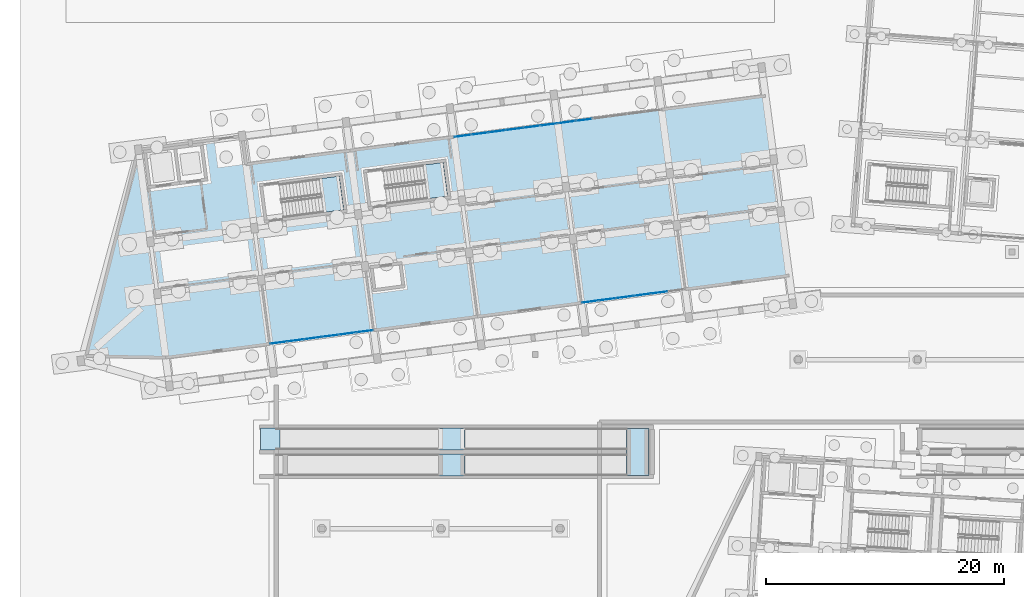
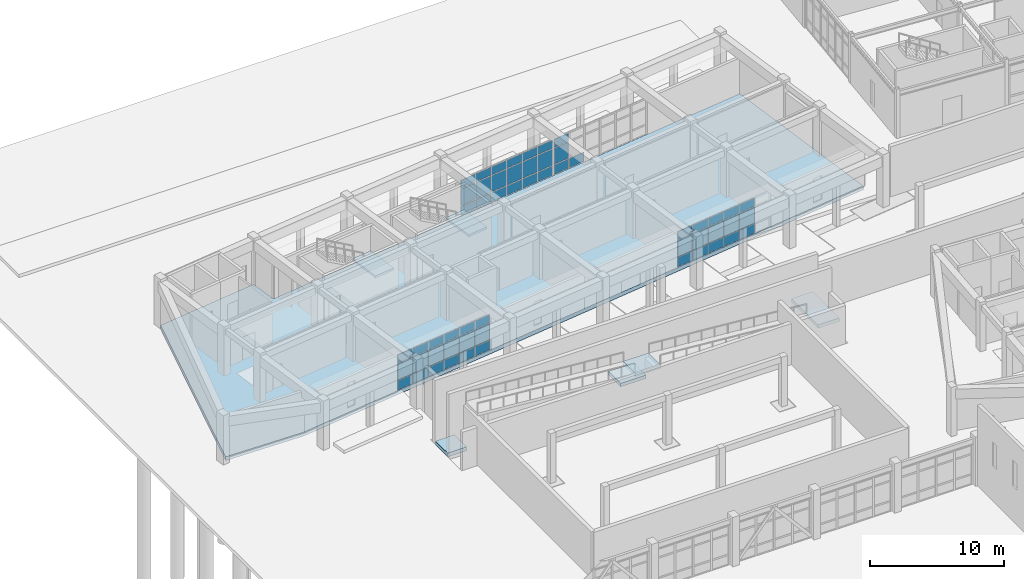
# One storey, part 107 of 154: 55 plates, 7 slabs, 8 elements without a shape of their own.
"""IFC4 building model written with IfcOpenShell, lengths in metres."""

from ifc_helpers import new_model, si_unit, direction, frame, origin, origin_2d, place, context, subcontext, project, spatial, polyline, rectangle, outline, extrude, material, layer, layer_set, type_object, element, aggregate, save


model = new_model("IFC4")

# Units and contexts
model_context = context("Model", 3, precision=1e-05, world=origin(), true_north=direction((0.0, 1.0)))
body_context = subcontext(model_context, "Body", "Model", "MODEL_VIEW")
ifc_project = project(units=[si_unit("LENGTHUNIT", "METRE"), si_unit("AREAUNIT", "SQUARE_METRE"), si_unit("VOLUMEUNIT", "CUBIC_METRE"), si_unit("PLANEANGLEUNIT", "RADIAN"), si_unit("MASSUNIT", "GRAM", prefix="KILO")], contexts=[model_context])

# Site, building, storey
site_placement = place(None, origin())
site = spatial("IfcSite", under=ifc_project, at=site_placement, CompositionType="ELEMENT")
building_placement = place(site_placement, origin())
building = spatial("IfcBuilding", under=site, at=building_placement, Name="Kestramere Prow Commons", CompositionType="ELEMENT")
storey_placement = place(building_placement, origin())
storey = spatial("IfcBuildingStorey", under=building, at=storey_placement, Name="L00", CompositionType="ELEMENT", Elevation=0.0)

# Curtain wall, plates
ifc_material_1 = material(Name="Anodised Aluminium and Low-E Glass", Category="aluminium")
curtain_wall_type = type_object("IfcCurtainWallType", Name="CW-01 Glazed Curtain Wall 8780x3350", PredefinedType="USERDEFINED", material=ifc_material_1)
curtain_wall_1_placement = place(storey_placement, origin())
curtain_wall_1 = element("IfcCurtainWall", 1, at=curtain_wall_1_placement, inside=storey, type_object=curtain_wall_type, Name="Block A L00 South Colonnade Storefront 2", ObjectType="GLAZED CURTAIN WALL", PredefinedType="USERDEFINED")
ifc_material_2 = material(Name="Low-E Laminated Double Glazing", Category="glass")
ifc_layer_1 = layer(ifc_material_2, 0.028076171875)
ifc_layer_set_1 = layer_set([ifc_layer_1], Name="Low-E Laminated Double Glazing")
plate_type = type_object("IfcPlateType", Name="CW-PNL-28", PredefinedType="CURTAIN_PANEL", material=ifc_layer_set_1)
plate_1_placement = place(storey_placement, frame((27.584716796875, 76.577880859375, 0.06494140625), z_axis=(0.0, 0.0, 1.0), x_axis=(-0.991444861125, -0.130526194106, 0.0)))
plate_1 = element("IfcPlate", 2, at=plate_1_placement, type_object=plate_type, Name="CW-01 panel 1.1", PredefinedType="CURTAIN_PANEL", context=body_context, shape_type="SweptSolid", body=[
    extrude(rectangle(XDim=1.36572265625, YDim=0.028076171875, at=origin_2d()), origin(), (0.0, 0.0, 1.0), 0.8525390625),
])
plate_2_placement = place(storey_placement, frame((27.584716796875, 76.577880859375, 0.982421875), z_axis=(0.0, 0.0, 1.0), x_axis=(-0.991444861125, -0.130526194106, 0.0)))
plate_2 = element("IfcPlate", 3, at=plate_2_placement, type_object=plate_type, Name="CW-01 panel 1.2", PredefinedType="CURTAIN_PANEL", context=body_context, shape_type="SweptSolid", body=[
    extrude(rectangle(XDim=1.36572265625, YDim=0.028076171875, at=origin_2d()), origin(), (0.0, 0.0, 1.0), 1.485107421875),
])
plate_3_placement = place(storey_placement, frame((27.584716796875, 76.577880859375, 2.532470703125), z_axis=(0.0, 0.0, 1.0), x_axis=(-0.991444861125, -0.130526194106, 0.0)))
plate_3 = element("IfcPlate", 4, at=plate_3_placement, type_object=plate_type, Name="CW-01 panel 1.3", PredefinedType="CURTAIN_PANEL", context=body_context, shape_type="SweptSolid", body=[
    extrude(rectangle(XDim=1.36572265625, YDim=0.028076171875, at=origin_2d()), origin(), (0.0, 0.0, 1.0), 0.75244140625),
])
plate_4_placement = place(storey_placement, frame((26.150146484375, 76.388916015625, 0.06494140625), z_axis=(0.0, 0.0, 1.0), x_axis=(-0.991444861125, -0.130526194106, 0.0)))
plate_4 = element("IfcPlate", 5, at=plate_4_placement, type_object=plate_type, Name="CW-01 panel 2.1", PredefinedType="CURTAIN_PANEL", context=body_context, shape_type="SweptSolid", body=[
    extrude(rectangle(XDim=1.3984375, YDim=0.028076171875, at=origin_2d()), origin(), (0.0, 0.0, 1.0), 0.8525390625),
])
plate_5_placement = place(storey_placement, frame((26.150146484375, 76.388916015625, 0.982421875), z_axis=(0.0, 0.0, 1.0), x_axis=(-0.991444861125, -0.130526194106, 0.0)))
plate_5 = element("IfcPlate", 6, at=plate_5_placement, type_object=plate_type, Name="CW-01 panel 2.2", PredefinedType="CURTAIN_PANEL", context=body_context, shape_type="SweptSolid", body=[
    extrude(rectangle(XDim=1.3984375, YDim=0.028076171875, at=origin_2d()), origin(), (0.0, 0.0, 1.0), 1.485107421875),
])
plate_6_placement = place(storey_placement, frame((26.150146484375, 76.388916015625, 2.532470703125), z_axis=(0.0, 0.0, 1.0), x_axis=(-0.991444861125, -0.130526194106, 0.0)))
plate_6 = element("IfcPlate", 7, at=plate_6_placement, type_object=plate_type, Name="CW-01 panel 2.3", PredefinedType="CURTAIN_PANEL", context=body_context, shape_type="SweptSolid", body=[
    extrude(rectangle(XDim=1.3984375, YDim=0.028076171875, at=origin_2d()), origin(), (0.0, 0.0, 1.0), 0.75244140625),
])
plate_7_placement = place(storey_placement, frame((24.69921875, 76.197998046875, 0.06494140625), z_axis=(0.0, 0.0, 1.0), x_axis=(-0.991444861125, -0.130526194106, 0.0)))
plate_7 = element("IfcPlate", 8, at=plate_7_placement, type_object=plate_type, Name="CW-01 panel 3.1", PredefinedType="CURTAIN_PANEL", context=body_context, shape_type="SweptSolid", body=[
    extrude(rectangle(XDim=1.3984375, YDim=0.028076171875, at=origin_2d()), origin(), (0.0, 0.0, 1.0), 0.8525390625),
])
plate_8_placement = place(storey_placement, frame((24.69921875, 76.197998046875, 0.982421875), z_axis=(0.0, 0.0, 1.0), x_axis=(-0.991444861125, -0.130526194106, 0.0)))
plate_8 = element("IfcPlate", 9, at=plate_8_placement, type_object=plate_type, Name="CW-01 panel 3.2", PredefinedType="CURTAIN_PANEL", context=body_context, shape_type="SweptSolid", body=[
    extrude(rectangle(XDim=1.3984375, YDim=0.028076171875, at=origin_2d()), origin(), (0.0, 0.0, 1.0), 1.485107421875),
])
plate_9_placement = place(storey_placement, frame((24.69921875, 76.197998046875, 2.532470703125), z_axis=(0.0, 0.0, 1.0), x_axis=(-0.991444861125, -0.130526194106, 0.0)))
plate_9 = element("IfcPlate", 10, at=plate_9_placement, type_object=plate_type, Name="CW-01 panel 3.3", PredefinedType="CURTAIN_PANEL", context=body_context, shape_type="SweptSolid", body=[
    extrude(rectangle(XDim=1.3984375, YDim=0.028076171875, at=origin_2d()), origin(), (0.0, 0.0, 1.0), 0.75244140625),
])
plate_10_placement = place(storey_placement, frame((23.248291015625, 76.0068359375, 0.06494140625), z_axis=(0.0, 0.0, 1.0), x_axis=(-0.991444861125, -0.130526194106, 0.0)))
plate_10 = element("IfcPlate", 11, at=plate_10_placement, type_object=plate_type, Name="CW-01 panel 4.1", PredefinedType="CURTAIN_PANEL", context=body_context, shape_type="SweptSolid", body=[
    extrude(rectangle(XDim=1.3984375, YDim=0.028076171875, at=origin_2d()), origin(), (0.0, 0.0, 1.0), 0.8525390625),
])
plate_11_placement = place(storey_placement, frame((23.248291015625, 76.0068359375, 0.982421875), z_axis=(0.0, 0.0, 1.0), x_axis=(-0.991444861125, -0.130526194106, 0.0)))
plate_11 = element("IfcPlate", 12, at=plate_11_placement, type_object=plate_type, Name="CW-01 panel 4.2", PredefinedType="CURTAIN_PANEL", context=body_context, shape_type="SweptSolid", body=[
    extrude(rectangle(XDim=1.3984375, YDim=0.028076171875, at=origin_2d()), origin(), (0.0, 0.0, 1.0), 1.485107421875),
])
plate_12_placement = place(storey_placement, frame((23.248291015625, 76.0068359375, 2.532470703125), z_axis=(0.0, 0.0, 1.0), x_axis=(-0.991444861125, -0.130526194106, 0.0)))
plate_12 = element("IfcPlate", 13, at=plate_12_placement, type_object=plate_type, Name="CW-01 panel 4.3", PredefinedType="CURTAIN_PANEL", context=body_context, shape_type="SweptSolid", body=[
    extrude(rectangle(XDim=1.3984375, YDim=0.028076171875, at=origin_2d()), origin(), (0.0, 0.0, 1.0), 0.75244140625),
])
plate_13_placement = place(storey_placement, frame((21.797607421875, 75.81591796875, 0.06494140625), z_axis=(0.0, 0.0, 1.0), x_axis=(-0.991444861125, -0.130526194106, 0.0)))
plate_13 = element("IfcPlate", 14, at=plate_13_placement, type_object=plate_type, Name="CW-01 panel 5.1", PredefinedType="CURTAIN_PANEL", context=body_context, shape_type="SweptSolid", body=[
    extrude(rectangle(XDim=1.3984375, YDim=0.028076171875, at=origin_2d()), origin(), (0.0, 0.0, 1.0), 0.8525390625),
])
plate_14_placement = place(storey_placement, frame((21.797607421875, 75.81591796875, 0.982421875), z_axis=(0.0, 0.0, 1.0), x_axis=(-0.991444861125, -0.130526194106, 0.0)))
plate_14 = element("IfcPlate", 15, at=plate_14_placement, type_object=plate_type, Name="CW-01 panel 5.2", PredefinedType="CURTAIN_PANEL", context=body_context, shape_type="SweptSolid", body=[
    extrude(rectangle(XDim=1.3984375, YDim=0.028076171875, at=origin_2d()), origin(), (0.0, 0.0, 1.0), 1.485107421875),
])
plate_15_placement = place(storey_placement, frame((21.797607421875, 75.81591796875, 2.532470703125), z_axis=(0.0, 0.0, 1.0), x_axis=(-0.991444861125, -0.130526194106, 0.0)))
plate_15 = element("IfcPlate", 16, at=plate_15_placement, type_object=plate_type, Name="CW-01 panel 5.3", PredefinedType="CURTAIN_PANEL", context=body_context, shape_type="SweptSolid", body=[
    extrude(rectangle(XDim=1.3984375, YDim=0.028076171875, at=origin_2d()), origin(), (0.0, 0.0, 1.0), 0.75244140625),
])
plate_16_placement = place(storey_placement, frame((20.36279296875, 75.626953125, 0.06494140625), z_axis=(0.0, 0.0, 1.0), x_axis=(-0.991444861125, -0.130526194106, 0.0)))
plate_16 = element("IfcPlate", 17, at=plate_16_placement, type_object=plate_type, Name="CW-01 panel 6.1", PredefinedType="CURTAIN_PANEL", context=body_context, shape_type="SweptSolid", body=[
    extrude(rectangle(XDim=1.36572265625, YDim=0.028076171875, at=origin_2d()), origin(), (0.0, 0.0, 1.0), 0.8525390625),
])
plate_17_placement = place(storey_placement, frame((20.36279296875, 75.626953125, 0.982421875), z_axis=(0.0, 0.0, 1.0), x_axis=(-0.991444861125, -0.130526194106, 0.0)))
plate_17 = element("IfcPlate", 18, at=plate_17_placement, type_object=plate_type, Name="CW-01 panel 6.2", PredefinedType="CURTAIN_PANEL", context=body_context, shape_type="SweptSolid", body=[
    extrude(rectangle(XDim=1.36572265625, YDim=0.028076171875, at=origin_2d()), origin(), (0.0, 0.0, 1.0), 1.485107421875),
])
plate_18_placement = place(storey_placement, frame((20.36279296875, 75.626953125, 2.532470703125), z_axis=(0.0, 0.0, 1.0), x_axis=(-0.991444861125, -0.130526194106, 0.0)))
plate_18 = element("IfcPlate", 19, at=plate_18_placement, type_object=plate_type, Name="CW-01 panel 6.3", PredefinedType="CURTAIN_PANEL", context=body_context, shape_type="SweptSolid", body=[
    extrude(rectangle(XDim=1.36572265625, YDim=0.028076171875, at=origin_2d()), origin(), (0.0, 0.0, 1.0), 0.75244140625),
])
aggregate(curtain_wall_1, [plate_1, plate_2, plate_3, plate_4, plate_5, plate_6, plate_7, plate_8, plate_9, plate_10, plate_11, plate_12, plate_13, plate_14, plate_15, plate_16, plate_17, plate_18])

curtain_wall_2_placement = place(storey_placement, origin())
curtain_wall_2 = element("IfcCurtainWall", 20, at=curtain_wall_2_placement, inside=storey, type_object=curtain_wall_type, Name="Block A L00 South Colonnade Storefront 5", ObjectType="GLAZED CURTAIN WALL", PredefinedType="USERDEFINED")
plate_19_placement = place(storey_placement, frame((52.32421875, 79.834716796875, 0.06494140625), z_axis=(0.0, 0.0, 1.0), x_axis=(-0.991444861125, -0.130526194106, 0.0)))
plate_19 = element("IfcPlate", 21, at=plate_19_placement, type_object=plate_type, Name="CW-01 panel 2.1", PredefinedType="CURTAIN_PANEL", context=body_context, shape_type="SweptSolid", body=[
    extrude(rectangle(XDim=1.3984375, YDim=0.028076171875, at=origin_2d()), origin(), (0.0, 0.0, 1.0), 0.8525390625),
])
plate_20_placement = place(storey_placement, frame((52.32421875, 79.834716796875, 0.982421875), z_axis=(0.0, 0.0, 1.0), x_axis=(-0.991444861125, -0.130526194106, 0.0)))
plate_20 = element("IfcPlate", 22, at=plate_20_placement, type_object=plate_type, Name="CW-01 panel 2.2", PredefinedType="CURTAIN_PANEL", context=body_context, shape_type="SweptSolid", body=[
    extrude(rectangle(XDim=1.3984375, YDim=0.028076171875, at=origin_2d()), origin(), (0.0, 0.0, 1.0), 1.485107421875),
])
plate_21_placement = place(storey_placement, frame((52.32421875, 79.834716796875, 2.532470703125), z_axis=(0.0, 0.0, 1.0), x_axis=(-0.991444861125, -0.130526194106, 0.0)))
plate_21 = element("IfcPlate", 23, at=plate_21_placement, type_object=plate_type, Name="CW-01 panel 2.3", PredefinedType="CURTAIN_PANEL", context=body_context, shape_type="SweptSolid", body=[
    extrude(rectangle(XDim=1.3984375, YDim=0.028076171875, at=origin_2d()), origin(), (0.0, 0.0, 1.0), 0.75244140625),
])
plate_22_placement = place(storey_placement, frame((50.873291015625, 79.643798828125, 0.06494140625), z_axis=(0.0, 0.0, 1.0), x_axis=(-0.991444861125, -0.130526194106, 0.0)))
plate_22 = element("IfcPlate", 24, at=plate_22_placement, type_object=plate_type, Name="CW-01 panel 3.1", PredefinedType="CURTAIN_PANEL", context=body_context, shape_type="SweptSolid", body=[
    extrude(rectangle(XDim=1.3984375, YDim=0.028076171875, at=origin_2d()), origin(), (0.0, 0.0, 1.0), 0.8525390625),
])
plate_23_placement = place(storey_placement, frame((50.873291015625, 79.643798828125, 0.982421875), z_axis=(0.0, 0.0, 1.0), x_axis=(-0.991444861125, -0.130526194106, 0.0)))
plate_23 = element("IfcPlate", 25, at=plate_23_placement, type_object=plate_type, Name="CW-01 panel 3.2", PredefinedType="CURTAIN_PANEL", context=body_context, shape_type="SweptSolid", body=[
    extrude(rectangle(XDim=1.3984375, YDim=0.028076171875, at=origin_2d()), origin(), (0.0, 0.0, 1.0), 1.485107421875),
])
plate_24_placement = place(storey_placement, frame((50.873291015625, 79.643798828125, 2.532470703125), z_axis=(0.0, 0.0, 1.0), x_axis=(-0.991444861125, -0.130526194106, 0.0)))
plate_24 = element("IfcPlate", 26, at=plate_24_placement, type_object=plate_type, Name="CW-01 panel 3.3", PredefinedType="CURTAIN_PANEL", context=body_context, shape_type="SweptSolid", body=[
    extrude(rectangle(XDim=1.3984375, YDim=0.028076171875, at=origin_2d()), origin(), (0.0, 0.0, 1.0), 0.75244140625),
])
plate_25_placement = place(storey_placement, frame((49.422607421875, 79.452880859375, 0.06494140625), z_axis=(0.0, 0.0, 1.0), x_axis=(-0.991444861125, -0.130526194106, 0.0)))
plate_25 = element("IfcPlate", 27, at=plate_25_placement, type_object=plate_type, Name="CW-01 panel 4.1", PredefinedType="CURTAIN_PANEL", context=body_context, shape_type="SweptSolid", body=[
    extrude(rectangle(XDim=1.3984375, YDim=0.028076171875, at=origin_2d()), origin(), (0.0, 0.0, 1.0), 0.8525390625),
])
plate_26_placement = place(storey_placement, frame((49.422607421875, 79.452880859375, 0.982421875), z_axis=(0.0, 0.0, 1.0), x_axis=(-0.991444861125, -0.130526194106, 0.0)))
plate_26 = element("IfcPlate", 28, at=plate_26_placement, type_object=plate_type, Name="CW-01 panel 4.2", PredefinedType="CURTAIN_PANEL", context=body_context, shape_type="SweptSolid", body=[
    extrude(rectangle(XDim=1.3984375, YDim=0.028076171875, at=origin_2d()), origin(), (0.0, 0.0, 1.0), 1.485107421875),
])
plate_27_placement = place(storey_placement, frame((49.422607421875, 79.452880859375, 2.532470703125), z_axis=(0.0, 0.0, 1.0), x_axis=(-0.991444861125, -0.130526194106, 0.0)))
plate_27 = element("IfcPlate", 29, at=plate_27_placement, type_object=plate_type, Name="CW-01 panel 4.3", PredefinedType="CURTAIN_PANEL", context=body_context, shape_type="SweptSolid", body=[
    extrude(rectangle(XDim=1.3984375, YDim=0.028076171875, at=origin_2d()), origin(), (0.0, 0.0, 1.0), 0.75244140625),
])
plate_28_placement = place(storey_placement, frame((47.9716796875, 79.26171875, 0.06494140625), z_axis=(0.0, 0.0, 1.0), x_axis=(-0.991444861125, -0.130526194106, 0.0)))
plate_28 = element("IfcPlate", 30, at=plate_28_placement, type_object=plate_type, Name="CW-01 panel 5.1", PredefinedType="CURTAIN_PANEL", context=body_context, shape_type="SweptSolid", body=[
    extrude(rectangle(XDim=1.3984375, YDim=0.028076171875, at=origin_2d()), origin(), (0.0, 0.0, 1.0), 0.8525390625),
])
plate_29_placement = place(storey_placement, frame((47.9716796875, 79.26171875, 0.982421875), z_axis=(0.0, 0.0, 1.0), x_axis=(-0.991444861125, -0.130526194106, 0.0)))
plate_29 = element("IfcPlate", 31, at=plate_29_placement, type_object=plate_type, Name="CW-01 panel 5.2", PredefinedType="CURTAIN_PANEL", context=body_context, shape_type="SweptSolid", body=[
    extrude(rectangle(XDim=1.3984375, YDim=0.028076171875, at=origin_2d()), origin(), (0.0, 0.0, 1.0), 1.485107421875),
])
plate_30_placement = place(storey_placement, frame((47.9716796875, 79.26171875, 2.532470703125), z_axis=(0.0, 0.0, 1.0), x_axis=(-0.991444861125, -0.130526194106, 0.0)))
plate_30 = element("IfcPlate", 32, at=plate_30_placement, type_object=plate_type, Name="CW-01 panel 5.3", PredefinedType="CURTAIN_PANEL", context=body_context, shape_type="SweptSolid", body=[
    extrude(rectangle(XDim=1.3984375, YDim=0.028076171875, at=origin_2d()), origin(), (0.0, 0.0, 1.0), 0.75244140625),
])
plate_31_placement = place(storey_placement, frame((46.537109375, 79.072998046875, 0.06494140625), z_axis=(0.0, 0.0, 1.0), x_axis=(-0.991444861125, -0.130526194106, 0.0)))
plate_31 = element("IfcPlate", 33, at=plate_31_placement, type_object=plate_type, Name="CW-01 panel 6.1", PredefinedType="CURTAIN_PANEL", context=body_context, shape_type="SweptSolid", body=[
    extrude(rectangle(XDim=1.36572265625, YDim=0.028076171875, at=origin_2d()), origin(), (0.0, 0.0, 1.0), 0.8525390625),
])
plate_32_placement = place(storey_placement, frame((46.537109375, 79.072998046875, 0.982421875), z_axis=(0.0, 0.0, 1.0), x_axis=(-0.991444861125, -0.130526194106, 0.0)))
plate_32 = element("IfcPlate", 34, at=plate_32_placement, type_object=plate_type, Name="CW-01 panel 6.2", PredefinedType="CURTAIN_PANEL", context=body_context, shape_type="SweptSolid", body=[
    extrude(rectangle(XDim=1.36572265625, YDim=0.028076171875, at=origin_2d()), origin(), (0.0, 0.0, 1.0), 1.485107421875),
])
plate_33_placement = place(storey_placement, frame((46.537109375, 79.072998046875, 2.532470703125), z_axis=(0.0, 0.0, 1.0), x_axis=(-0.991444861125, -0.130526194106, 0.0)))
plate_33 = element("IfcPlate", 35, at=plate_33_placement, type_object=plate_type, Name="CW-01 panel 6.3", PredefinedType="CURTAIN_PANEL", context=body_context, shape_type="SweptSolid", body=[
    extrude(rectangle(XDim=1.36572265625, YDim=0.028076171875, at=origin_2d()), origin(), (0.0, 0.0, 1.0), 0.75244140625),
])
aggregate(curtain_wall_2, [plate_19, plate_20, plate_21, plate_22, plate_23, plate_24, plate_25, plate_26, plate_27, plate_28, plate_29, plate_30, plate_31, plate_32, plate_33])

curtain_wall_3_placement = place(storey_placement, origin())
curtain_wall_3 = element("IfcCurtainWall", 36, at=curtain_wall_3_placement, inside=storey, type_object=curtain_wall_type, Name="Block A L00 North Courtyard Storefront 4", ObjectType="GLAZED CURTAIN WALL", PredefinedType="USERDEFINED")
plate_34_placement = place(storey_placement, frame((35.828369140625, 92.994140625, 0.06494140625), z_axis=(0.0, 0.0, 1.0), x_axis=(0.991444861125, 0.130526194106, 0.0)))
plate_34 = element("IfcPlate", 37, at=plate_34_placement, type_object=plate_type, Name="CW-01 panel 1.1", PredefinedType="CURTAIN_PANEL", context=body_context, shape_type="SweptSolid", body=[
    extrude(rectangle(XDim=1.36572265625, YDim=0.028076171875, at=origin_2d()), origin(), (0.0, 0.0, 1.0), 0.8525390625),
])
plate_35_placement = place(storey_placement, frame((35.828369140625, 92.994140625, 0.982421875), z_axis=(0.0, 0.0, 1.0), x_axis=(0.991444861125, 0.130526194106, 0.0)))
plate_35 = element("IfcPlate", 38, at=plate_35_placement, type_object=plate_type, Name="CW-01 panel 1.2", PredefinedType="CURTAIN_PANEL", context=body_context, shape_type="SweptSolid", body=[
    extrude(rectangle(XDim=1.36572265625, YDim=0.028076171875, at=origin_2d()), origin(), (0.0, 0.0, 1.0), 1.485107421875),
])
plate_36_placement = place(storey_placement, frame((35.828369140625, 92.994140625, 2.532470703125), z_axis=(0.0, 0.0, 1.0), x_axis=(0.991444861125, 0.130526194106, 0.0)))
plate_36 = element("IfcPlate", 39, at=plate_36_placement, type_object=plate_type, Name="CW-01 panel 1.3", PredefinedType="CURTAIN_PANEL", context=body_context, shape_type="SweptSolid", body=[
    extrude(rectangle(XDim=1.36572265625, YDim=0.028076171875, at=origin_2d()), origin(), (0.0, 0.0, 1.0), 0.75244140625),
])
plate_37_placement = place(storey_placement, frame((37.262939453125, 93.18310546875, 0.06494140625), z_axis=(0.0, 0.0, 1.0), x_axis=(0.991444861125, 0.130526194106, 0.0)))
plate_37 = element("IfcPlate", 40, at=plate_37_placement, type_object=plate_type, Name="CW-01 panel 2.1", PredefinedType="CURTAIN_PANEL", context=body_context, shape_type="SweptSolid", body=[
    extrude(rectangle(XDim=1.3984375, YDim=0.028076171875, at=origin_2d()), origin(), (0.0, 0.0, 1.0), 0.8525390625),
])
plate_38_placement = place(storey_placement, frame((37.262939453125, 93.18310546875, 0.982421875), z_axis=(0.0, 0.0, 1.0), x_axis=(0.991444861125, 0.130526194106, 0.0)))
plate_38 = element("IfcPlate", 41, at=plate_38_placement, type_object=plate_type, Name="CW-01 panel 2.2", PredefinedType="CURTAIN_PANEL", context=body_context, shape_type="SweptSolid", body=[
    extrude(rectangle(XDim=1.3984375, YDim=0.028076171875, at=origin_2d()), origin(), (0.0, 0.0, 1.0), 1.485107421875),
])
plate_39_placement = place(storey_placement, frame((37.262939453125, 93.18310546875, 2.532470703125), z_axis=(0.0, 0.0, 1.0), x_axis=(0.991444861125, 0.130526194106, 0.0)))
plate_39 = element("IfcPlate", 42, at=plate_39_placement, type_object=plate_type, Name="CW-01 panel 2.3", PredefinedType="CURTAIN_PANEL", context=body_context, shape_type="SweptSolid", body=[
    extrude(rectangle(XDim=1.3984375, YDim=0.028076171875, at=origin_2d()), origin(), (0.0, 0.0, 1.0), 0.75244140625),
])
plate_40_placement = place(storey_placement, frame((38.7138671875, 93.3740234375, 0.06494140625), z_axis=(0.0, 0.0, 1.0), x_axis=(0.991444861125, 0.130526194106, 0.0)))
plate_40 = element("IfcPlate", 43, at=plate_40_placement, type_object=plate_type, Name="CW-01 panel 3.1", PredefinedType="CURTAIN_PANEL", context=body_context, shape_type="SweptSolid", body=[
    extrude(rectangle(XDim=1.3984375, YDim=0.028076171875, at=origin_2d()), origin(), (0.0, 0.0, 1.0), 0.8525390625),
])
plate_41_placement = place(storey_placement, frame((38.7138671875, 93.3740234375, 0.982421875), z_axis=(0.0, 0.0, 1.0), x_axis=(0.991444861125, 0.130526194106, 0.0)))
plate_41 = element("IfcPlate", 44, at=plate_41_placement, type_object=plate_type, Name="CW-01 panel 3.2", PredefinedType="CURTAIN_PANEL", context=body_context, shape_type="SweptSolid", body=[
    extrude(rectangle(XDim=1.3984375, YDim=0.028076171875, at=origin_2d()), origin(), (0.0, 0.0, 1.0), 1.485107421875),
])
plate_42_placement = place(storey_placement, frame((38.7138671875, 93.3740234375, 2.532470703125), z_axis=(0.0, 0.0, 1.0), x_axis=(0.991444861125, 0.130526194106, 0.0)))
plate_42 = element("IfcPlate", 45, at=plate_42_placement, type_object=plate_type, Name="CW-01 panel 3.3", PredefinedType="CURTAIN_PANEL", context=body_context, shape_type="SweptSolid", body=[
    extrude(rectangle(XDim=1.3984375, YDim=0.028076171875, at=origin_2d()), origin(), (0.0, 0.0, 1.0), 0.75244140625),
])
plate_43_placement = place(storey_placement, frame((40.16455078125, 93.565185546875, 0.06494140625), z_axis=(0.0, 0.0, 1.0), x_axis=(0.991444861125, 0.130526194106, 0.0)))
plate_43 = element("IfcPlate", 46, at=plate_43_placement, type_object=plate_type, Name="CW-01 panel 4.1", PredefinedType="CURTAIN_PANEL", context=body_context, shape_type="SweptSolid", body=[
    extrude(rectangle(XDim=1.3984375, YDim=0.028076171875, at=origin_2d()), origin(), (0.0, 0.0, 1.0), 0.8525390625),
])
plate_44_placement = place(storey_placement, frame((40.16455078125, 93.565185546875, 0.982421875), z_axis=(0.0, 0.0, 1.0), x_axis=(0.991444861125, 0.130526194106, 0.0)))
plate_44 = element("IfcPlate", 47, at=plate_44_placement, type_object=plate_type, Name="CW-01 panel 4.2", PredefinedType="CURTAIN_PANEL", context=body_context, shape_type="SweptSolid", body=[
    extrude(rectangle(XDim=1.3984375, YDim=0.028076171875, at=origin_2d()), origin(), (0.0, 0.0, 1.0), 1.485107421875),
])
plate_45_placement = place(storey_placement, frame((40.16455078125, 93.565185546875, 2.532470703125), z_axis=(0.0, 0.0, 1.0), x_axis=(0.991444861125, 0.130526194106, 0.0)))
plate_45 = element("IfcPlate", 48, at=plate_45_placement, type_object=plate_type, Name="CW-01 panel 4.3", PredefinedType="CURTAIN_PANEL", context=body_context, shape_type="SweptSolid", body=[
    extrude(rectangle(XDim=1.3984375, YDim=0.028076171875, at=origin_2d()), origin(), (0.0, 0.0, 1.0), 0.75244140625),
])
plate_46_placement = place(storey_placement, frame((41.615478515625, 93.756103515625, 0.06494140625), z_axis=(0.0, 0.0, 1.0), x_axis=(0.991444861125, 0.130526194106, 0.0)))
plate_46 = element("IfcPlate", 49, at=plate_46_placement, type_object=plate_type, Name="CW-01 panel 5.1", PredefinedType="CURTAIN_PANEL", context=body_context, shape_type="SweptSolid", body=[
    extrude(rectangle(XDim=1.3984375, YDim=0.028076171875, at=origin_2d()), origin(), (0.0, 0.0, 1.0), 0.8525390625),
])
plate_47_placement = place(storey_placement, frame((41.615478515625, 93.756103515625, 0.982421875), z_axis=(0.0, 0.0, 1.0), x_axis=(0.991444861125, 0.130526194106, 0.0)))
plate_47 = element("IfcPlate", 50, at=plate_47_placement, type_object=plate_type, Name="CW-01 panel 5.2", PredefinedType="CURTAIN_PANEL", context=body_context, shape_type="SweptSolid", body=[
    extrude(rectangle(XDim=1.3984375, YDim=0.028076171875, at=origin_2d()), origin(), (0.0, 0.0, 1.0), 1.485107421875),
])
plate_48_placement = place(storey_placement, frame((41.615478515625, 93.756103515625, 2.532470703125), z_axis=(0.0, 0.0, 1.0), x_axis=(0.991444861125, 0.130526194106, 0.0)))
plate_48 = element("IfcPlate", 51, at=plate_48_placement, type_object=plate_type, Name="CW-01 panel 5.3", PredefinedType="CURTAIN_PANEL", context=body_context, shape_type="SweptSolid", body=[
    extrude(rectangle(XDim=1.3984375, YDim=0.028076171875, at=origin_2d()), origin(), (0.0, 0.0, 1.0), 0.75244140625),
])
plate_49_placement = place(storey_placement, frame((43.050048828125, 93.945068359375, 0.06494140625), z_axis=(0.0, 0.0, 1.0), x_axis=(0.991444861125, 0.130526194106, 0.0)))
plate_49 = element("IfcPlate", 52, at=plate_49_placement, type_object=plate_type, Name="CW-01 panel 6.1", PredefinedType="CURTAIN_PANEL", context=body_context, shape_type="SweptSolid", body=[
    extrude(rectangle(XDim=1.36572265625, YDim=0.028076171875, at=origin_2d()), origin(), (0.0, 0.0, 1.0), 0.8525390625),
])
plate_50_placement = place(storey_placement, frame((43.050048828125, 93.945068359375, 0.982421875), z_axis=(0.0, 0.0, 1.0), x_axis=(0.991444861125, 0.130526194106, 0.0)))
plate_50 = element("IfcPlate", 53, at=plate_50_placement, type_object=plate_type, Name="CW-01 panel 6.2", PredefinedType="CURTAIN_PANEL", context=body_context, shape_type="SweptSolid", body=[
    extrude(rectangle(XDim=1.36572265625, YDim=0.028076171875, at=origin_2d()), origin(), (0.0, 0.0, 1.0), 1.485107421875),
])
plate_51_placement = place(storey_placement, frame((43.050048828125, 93.945068359375, 2.532470703125), z_axis=(0.0, 0.0, 1.0), x_axis=(0.991444861125, 0.130526194106, 0.0)))
plate_51 = element("IfcPlate", 54, at=plate_51_placement, type_object=plate_type, Name="CW-01 panel 6.3", PredefinedType="CURTAIN_PANEL", context=body_context, shape_type="SweptSolid", body=[
    extrude(rectangle(XDim=1.36572265625, YDim=0.028076171875, at=origin_2d()), origin(), (0.0, 0.0, 1.0), 0.75244140625),
])
aggregate(curtain_wall_3, [plate_34, plate_35, plate_36, plate_37, plate_38, plate_39, plate_40, plate_41, plate_42, plate_43, plate_44, plate_45, plate_46, plate_47, plate_48, plate_49, plate_50, plate_51])

curtain_wall_4_placement = place(storey_placement, origin())
curtain_wall_4 = element("IfcCurtainWall", 55, at=curtain_wall_4_placement, inside=storey, type_object=curtain_wall_type, Name="Block A L00 North Courtyard Storefront 5", ObjectType="GLAZED CURTAIN WALL", PredefinedType="USERDEFINED")
plate_52_placement = place(storey_placement, frame((44.552978515625, 94.142822265625, 0.06494140625), z_axis=(0.0, 0.0, 1.0), x_axis=(0.991444859185, 0.130526208849, 0.0)))
plate_52 = element("IfcPlate", 56, at=plate_52_placement, type_object=plate_type, Name="CW-01 panel 1.1", PredefinedType="CURTAIN_PANEL", context=body_context, shape_type="SweptSolid", body=[
    extrude(rectangle(XDim=1.36572265625, YDim=0.028076171875, at=origin_2d()), origin(), (0.0, 0.0, 1.0), 0.8525390625),
])
plate_53_placement = place(storey_placement, frame((44.552978515625, 94.142822265625, 0.982421875), z_axis=(0.0, 0.0, 1.0), x_axis=(0.991444859185, 0.130526208849, 0.0)))
plate_53 = element("IfcPlate", 57, at=plate_53_placement, type_object=plate_type, Name="CW-01 panel 1.2", PredefinedType="CURTAIN_PANEL", context=body_context, shape_type="SweptSolid", body=[
    extrude(rectangle(XDim=1.36572265625, YDim=0.028076171875, at=origin_2d()), origin(), (0.0, 0.0, 1.0), 1.485107421875),
])
plate_54_placement = place(storey_placement, frame((44.552978515625, 94.142822265625, 2.532470703125), z_axis=(0.0, 0.0, 1.0), x_axis=(0.991444859185, 0.130526208849, 0.0)))
plate_54 = element("IfcPlate", 58, at=plate_54_placement, type_object=plate_type, Name="CW-01 panel 1.3", PredefinedType="CURTAIN_PANEL", context=body_context, shape_type="SweptSolid", body=[
    extrude(rectangle(XDim=1.36572265625, YDim=0.028076171875, at=origin_2d()), origin(), (0.0, 0.0, 1.0), 0.75244140625),
])
plate_55_placement = place(storey_placement, frame((45.98779296875, 94.331787109375, 0.06494140625), z_axis=(0.0, 0.0, 1.0), x_axis=(0.991444859185, 0.130526208849, 0.0)))
plate_55 = element("IfcPlate", 59, at=plate_55_placement, type_object=plate_type, Name="CW-01 panel 2.1", PredefinedType="CURTAIN_PANEL", context=body_context, shape_type="SweptSolid", body=[
    extrude(rectangle(XDim=1.3984375, YDim=0.028076171875, at=origin_2d()), origin(), (0.0, 0.0, 1.0), 0.8525390625),
])
aggregate(curtain_wall_4, [plate_52, plate_53, plate_54, plate_55])

# Slab
ifc_material_3 = material(Name="Concrete C35/45", Category="concrete")
ifc_layer_2 = layer(ifc_material_3, 0.35009765625)
ifc_layer_set_2 = layer_set([ifc_layer_2], Name="Concrete C35/45")
slab_type_1 = type_object("IfcSlabType", Name="SL-BASE-350", PredefinedType="BASESLAB", material=ifc_layer_set_2)
slab_1_placement = place(storey_placement, frame((0.0, 0.0, -0.35009765625)))
element("IfcSlab", 60, at=slab_1_placement, inside=storey, type_object=slab_type_1, Name="Block A L00 Ground Floor Slab", PredefinedType="BASESLAB", context=body_context, shape_type="SweptSolid", body=[
    extrude(outline(polyline([(4.212646484375, 74.509521484375), (10.88671875, 74.37939453125), (63.235107421875, 81.271240234375), (61.2509765625, 96.34130859375), (17.62744140625, 90.59814453125), (17.314208984375, 92.9775390625), (8.58935546875, 91.828857421875), (4.212646484375, 74.509521484375)])), origin(), (0.0, 0.0, 1.0), 0.35009765625),
])

# Ramp, slabs
ramp_type = type_object("IfcRampType", Name="RMP-ACC-1800", PredefinedType="STRAIGHT_RUN_RAMP", material=ifc_material_3)
ramp_1_placement = place(storey_placement, origin())
ramp_1 = element("IfcRamp", 61, at=ramp_1_placement, inside=storey, type_object=ramp_type, Name="West Hillside Lower Accessible Ramp", PredefinedType="STRAIGHT_RUN_RAMP")
ifc_layer_3 = layer(ifc_material_3, 0.300048828125)
ifc_layer_set_3 = layer_set([ifc_layer_3], Name="Concrete C35/45")
slab_type_2 = type_object("IfcSlabType", Name="SL-RMP-LAND-300", PredefinedType="LANDING", material=ifc_layer_set_3)
slab_2_placement = place(storey_placement, frame((0.0, 0.0, -0.35009765625)))
slab_2 = element("IfcSlab", 62, at=slab_2_placement, type_object=slab_type_2, Name="West Hillside Lower Accessible Ramp Bottom Threshold Pad", PredefinedType="LANDING", context=body_context, shape_type="SweptSolid", body=[
    extrude(outline(polyline([(18.85009765625, 66.6298828125), (20.5, 66.6298828125), (20.5, 68.469970703125), (18.85009765625, 68.469970703125), (18.85009765625, 66.6298828125)])), origin(), (0.0, 0.0, 1.0), 0.35009765625),
])
slab_3_placement = place(storey_placement, frame((0.0, 0.0, 0.824951171875)))
slab_3 = element("IfcSlab", 63, at=slab_3_placement, type_object=slab_type_2, Name="West Hillside Lower Accessible Ramp Intermediate Landing", PredefinedType="LANDING", context=body_context, shape_type="SweptSolid", body=[
    extrude(outline(polyline([(33.800048828125, 66.6298828125), (36.0, 66.6298828125), (36.0, 68.469970703125), (33.800048828125, 68.469970703125), (33.800048828125, 66.6298828125)])), origin(), (0.0, 0.0, 1.0), 0.300048828125),
])
slab_4_placement = place(storey_placement, frame((0.0, 0.0, 1.949951171875)))
slab_4 = element("IfcSlab", 64, at=slab_4_placement, type_object=slab_type_2, Name="West Hillside Lower Accessible Ramp Switchback Turn Landing", PredefinedType="LANDING", context=body_context, shape_type="SweptSolid", body=[
    extrude(outline(polyline([(49.60009765625, 64.4599609375), (51.449951171875, 64.4599609375), (51.449951171875, 68.43994140625), (49.60009765625, 68.43994140625), (49.60009765625, 64.4599609375)])), origin(), (0.0, 0.0, 1.0), 0.300048828125),
])
aggregate(ramp_1, [slab_2, slab_3, slab_4])

# Ramp, slab
ramp_2_placement = place(storey_placement, origin())
ramp_2 = element("IfcRamp", 65, at=ramp_2_placement, inside=storey, type_object=ramp_type, Name="West Hillside Upper Accessible Ramp", PredefinedType="STRAIGHT_RUN_RAMP")
slab_5_placement = place(storey_placement, frame((0.0, 0.0, 3.074951171875)))
slab_5 = element("IfcSlab", 66, at=slab_5_placement, type_object=slab_type_2, Name="West Hillside Upper Accessible Ramp Intermediate Landing", PredefinedType="LANDING", context=body_context, shape_type="SweptSolid", body=[
    extrude(outline(polyline([(33.800048828125, 64.429931640625), (36.0, 64.429931640625), (36.0, 66.27001953125), (33.800048828125, 66.27001953125), (33.800048828125, 64.429931640625)])), origin(), (0.0, 0.0, 1.0), 0.300048828125),
])
aggregate(ramp_2, [slab_5])

# Stair, slab
ifc_material_4 = material(Name="Concrete C40/50", Category="concrete")
stair_type = type_object("IfcStairType", Name="ST-DOG-1350", PredefinedType="HALF_TURN_STAIR", material=ifc_material_4)
stair_1_placement = place(storey_placement, origin())
stair_1 = element("IfcStair", 67, at=stair_1_placement, inside=storey, type_object=stair_type, Name="L00 Block A Exit Stair 1", PredefinedType="HALF_TURN_STAIR")
ifc_layer_4 = layer(ifc_material_4, 0.199951171875)
ifc_layer_set_4 = layer_set([ifc_layer_4], Name="Concrete C40/50")
slab_type_3 = type_object("IfcSlabType", Name="SL-ST-LAND-200", PredefinedType="LANDING", material=ifc_layer_set_4)
slab_6_placement = place(storey_placement, frame((0.0, 0.0, 2.050048828125)))
slab_6 = element("IfcSlab", 68, at=slab_6_placement, type_object=slab_type_3, Name="ST-A1 landing 1", PredefinedType="LANDING", context=body_context, shape_type="SweptSolid", body=[
    extrude(outline(polyline([(24.119873046875, 86.56103515625), (25.844970703125, 86.7880859375), (25.47314453125, 89.61376953125), (23.748046875, 89.386474609375), (24.119873046875, 86.56103515625)])), origin(), (0.0, 0.0, 1.0), 0.199951171875),
])
aggregate(stair_1, [slab_6])

stair_2_placement = place(storey_placement, origin())
stair_2 = element("IfcStair", 69, at=stair_2_placement, inside=storey, type_object=stair_type, Name="L00 Block A Exit Stair 2", PredefinedType="HALF_TURN_STAIR")
slab_7_placement = place(storey_placement, frame((0.0, 0.0, 2.050048828125)))
slab_7 = element("IfcSlab", 70, at=slab_7_placement, type_object=slab_type_3, Name="ST-A2 landing 1", PredefinedType="LANDING", context=body_context, shape_type="SweptSolid", body=[
    extrude(outline(polyline([(32.8447265625, 87.70947265625), (34.56982421875, 87.936767578125), (34.19775390625, 90.76220703125), (32.47265625, 90.53515625), (32.8447265625, 87.70947265625)])), origin(), (0.0, 0.0, 1.0), 0.199951171875),
])
aggregate(stair_2, [slab_7])

save(model, "model.ifc")
